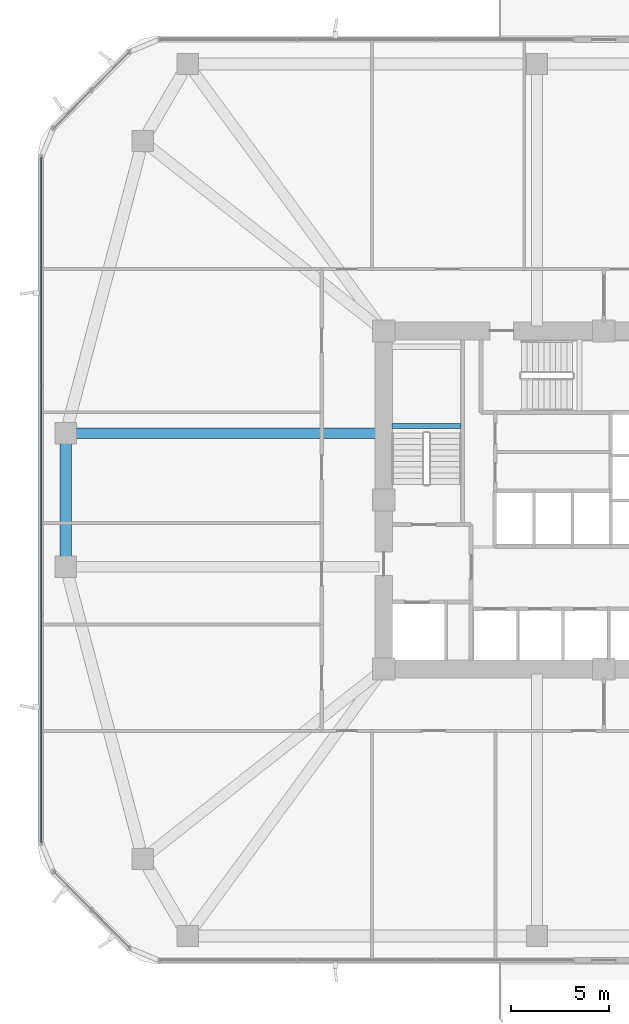
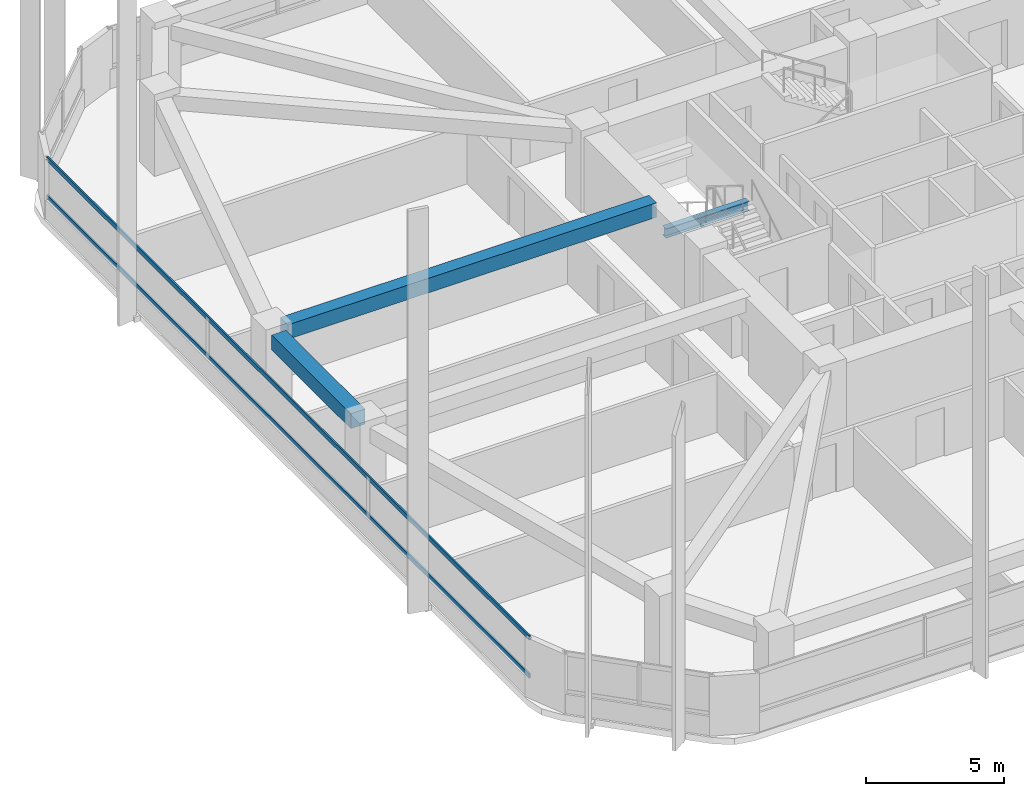
# One storey, part 3 of 17: 3 beams, 2 members, 1 element without a shape of its own.
"""IFC4 building model written with IfcOpenShell, lengths in metres."""

from ifc_helpers import new_model, si_unit, derived_unit, direction, frame, origin, origin_2d, place, context, subcontext, project, spatial, rectangle, i_section, extrude, material, material_profile, profile_set, type_object, element, aggregate, save


model = new_model("IFC4")

# Units and contexts
model_context = context("Model", 3, precision=1e-05, world=origin(), true_north=direction((0.0, 1.0)))
body_context = subcontext(model_context, "Body", "Model", "MODEL_VIEW")
ifc_project = project(units=[si_unit("LENGTHUNIT", "METRE"), si_unit("AREAUNIT", "SQUARE_METRE"), si_unit("VOLUMEUNIT", "CUBIC_METRE"), si_unit("PLANEANGLEUNIT", "RADIAN"), si_unit("MASSUNIT", "GRAM", prefix="KILO"), derived_unit("THERMALTRANSMITTANCEUNIT", [(si_unit("POWERUNIT", "WATT"), 1), (si_unit("LENGTHUNIT", "METRE"), -2), (si_unit("THERMODYNAMICTEMPERATUREUNIT", "KELVIN"), -1)])], contexts=[model_context])

# Site, building, storey
site_placement = place(None, origin())
site = spatial("IfcSite", under=ifc_project, at=site_placement, CompositionType="ELEMENT")
building_placement = place(site_placement, origin())
building = spatial("IfcBuilding", under=site, at=building_placement, Name="Koralith Skygarden Medical Center", CompositionType="ELEMENT")
storey_placement = place(building_placement, frame((0.0, 0.0, 67.139892578125)))
storey = spatial("IfcBuildingStorey", under=building, at=storey_placement, Name="L17", CompositionType="ELEMENT", Elevation=67.139892578125)

# Curtain wall, members
ifc_material_1 = material(Name="Clear Laminated Glass", Category="glass")
curtain_wall_type = type_object("IfcCurtainWallType", Name="CW-2 Zone 1 Hurricane Unitised Curtain Wall", PredefinedType="NOTDEFINED", material=ifc_material_1)
curtain_wall_placement = place(storey_placement, origin())
curtain_wall = element("IfcCurtainWall", 1, at=curtain_wall_placement, inside=storey, type_object=curtain_wall_type, Name="Curtain Wall CW-L17-W", PredefinedType="NOTDEFINED")
ifc_material_2 = material(Name="Aluminium 6063-T6", Category="aluminium")
ifc_material_profile_1 = material_profile(ifc_material_2, rectangle(XDim=0.06591796875, YDim=0.197998046875, at=origin_2d()), Name="TRN66X198")
ifc_profile_set_1 = profile_set([ifc_material_profile_1], Name="Aluminium 6063-T6")
member_type = type_object("IfcMemberType", Name="CW-2 Thermal Transom 66x198", PredefinedType="USERDEFINED", material=ifc_profile_set_1)
member_1_placement = place(storey_placement, frame((8.3798828125, 43.344970703125, 0.900146484375), z_axis=(0.0, -1.0, 0.0), x_axis=(1.0, 0.0, 0.0)))
member_1 = element("IfcMember", 2, at=member_1_placement, type_object=member_type, Name="CW-L17-W Transom 1", ObjectType="TRANSOM", PredefinedType="USERDEFINED", context=body_context, shape_type="SweptSolid", body=[
    extrude(rectangle(XDim=0.06591796875, YDim=0.197998046875, at=origin_2d()), origin(), (0.0, 0.0, 1.0), 34.889892578125),
])
member_2_placement = place(storey_placement, frame((8.3798828125, 43.344970703125, 2.580078125), z_axis=(0.0, -1.0, 0.0), x_axis=(1.0, 0.0, 0.0)))
member_2 = element("IfcMember", 3, at=member_2_placement, type_object=member_type, Name="CW-L17-W Transom 2", ObjectType="TRANSOM", PredefinedType="USERDEFINED", context=body_context, shape_type="SweptSolid", body=[
    extrude(rectangle(XDim=0.06591796875, YDim=0.197998046875, at=origin_2d()), origin(), (0.0, 0.0, 1.0), 34.889892578125),
])
aggregate(curtain_wall, [member_1, member_2])

# Beams
ifc_material_3 = material(Name="Steel ASTM A992 Grade 50", Category="steel")
ifc_material_profile_2 = material_profile(ifc_material_3, i_section(OverallWidth=0.260009765625, OverallDepth=0.4150390625, WebThickness=0.010009765625, FlangeThickness=0.016845703125, at=origin_2d()), Name="W16X67")
ifc_profile_set_2 = profile_set([ifc_material_profile_2], Name="Steel ASTM A992 Grade 50")
beam_type_1 = type_object("IfcBeamType", Name="Clinical Floor Joist W16X67", PredefinedType="JOIST", material=ifc_profile_set_2)
beam_1_placement = place(storey_placement, frame((26.22998046875, 29.659912109375, 1.39208984375), z_axis=(1.0, 0.0, 0.0), x_axis=(0.0, 1.0, 0.0)))
element("IfcBeam", 4, at=beam_1_placement, inside=storey, type_object=beam_type_1, Name="L17 Stair ST1 Half-Landing Support Beam 1A", PredefinedType="JOIST", context=body_context, shape_type="SweptSolid", body=[
    extrude(i_section(OverallWidth=0.260009765625, OverallDepth=0.4150390625, WebThickness=0.010009765625, FlangeThickness=0.016845703125, at=origin_2d()), origin(), (0.0, 0.0, 1.0), 3.489990234375),
])
ifc_material_4 = material(Name="Concrete C45/55", Category="concrete")
ifc_material_profile_3 = material_profile(ifc_material_4, rectangle(XDim=0.550048828125, YDim=0.639892578125, at=origin_2d()), Name="RCB550X640")
ifc_profile_set_3 = profile_set([ifc_material_profile_3], Name="Concrete C45/55")
beam_type_2 = type_object("IfcBeamType", Name="Radial Collector Beam RCB550X640", PredefinedType="BEAM", material=ifc_profile_set_3)
beam_2_placement = place(storey_placement, frame((25.550048828125, 29.300048828125, 2.980224609375), z_axis=(-1.0, 0.0, 0.0), x_axis=(0.0, -1.0, 0.0)))
element("IfcBeam", 5, at=beam_2_placement, inside=storey, type_object=beam_type_2, Name="L17 Radial Collector Beam RB-16", PredefinedType="BEAM", context=body_context, shape_type="SweptSolid", body=[
    extrude(rectangle(XDim=0.550048828125, YDim=0.639892578125, at=origin_2d()), origin(), (0.0, 0.0, 1.0), 15.400146484375),
])
ifc_material_profile_4 = material_profile(ifc_material_4, rectangle(XDim=0.60009765625, YDim=0.659912109375, at=origin_2d()), Name="RCB600X660")
ifc_profile_set_4 = profile_set([ifc_material_profile_4], Name="Concrete C45/55")
beam_type_3 = type_object("IfcBeamType", Name="Zone 1 Spandrel Beam RCB600X660", PredefinedType="SPANDREL", material=ifc_profile_set_4)
beam_3_placement = place(storey_placement, frame((9.6201171875, 28.77001953125, 2.97021484375), z_axis=(0.0, -1.0, 0.0), x_axis=(1.0, 0.0, 0.0)))
element("IfcBeam", 6, at=beam_3_placement, inside=storey, type_object=beam_type_3, Name="L17 Perimeter Spandrel Beam SP-16", PredefinedType="SPANDREL", context=body_context, shape_type="SweptSolid", body=[
    extrude(rectangle(XDim=0.60009765625, YDim=0.659912109375, at=origin_2d()), origin(), (0.0, 0.0, 1.0), 5.739990234375),
])

save(model, "model.ifc")
